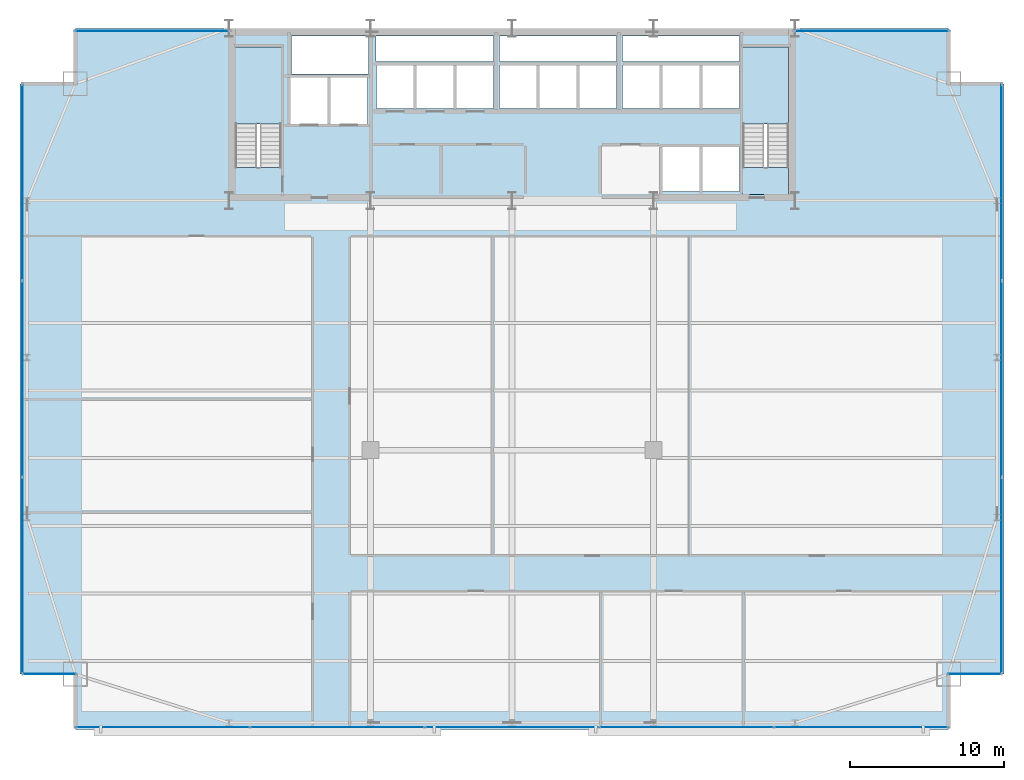
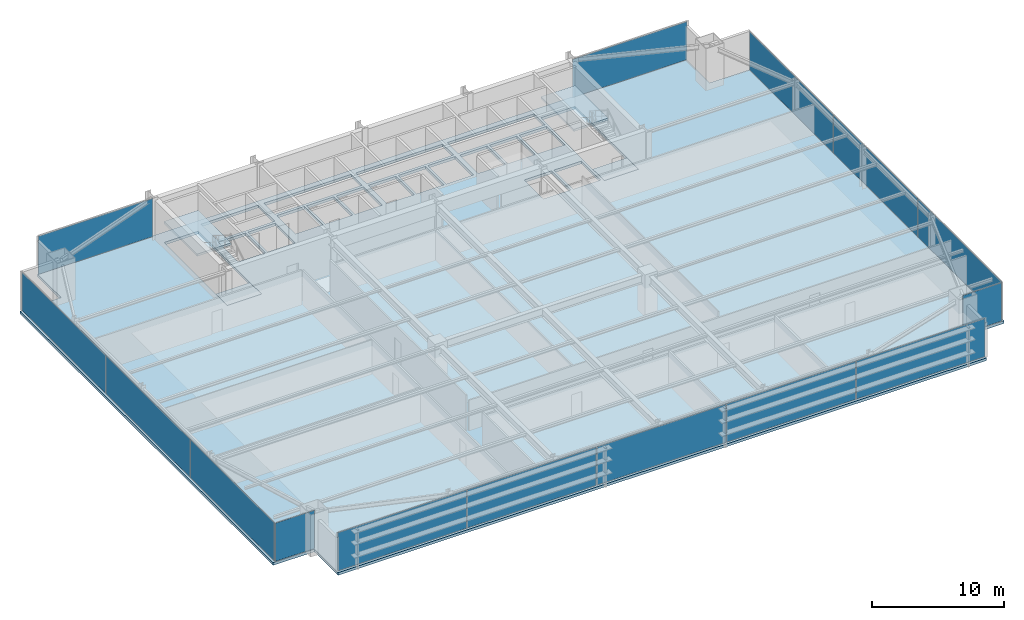
# One storey, part 25 of 32: 15 plates, 5 slabs, 9 elements without a shape of their own.
"""IFC4 building model written with IfcOpenShell, lengths in metres."""

from ifc_helpers import new_model, si_unit, direction, frame, origin, origin_2d, place, context, subcontext, project, spatial, polyline, rectangle, outline, extrude, source, transform, mapped, material, layer, layer_set, type_object, type_shapes, element, aggregate, save


model = new_model("IFC4")

# Units and contexts
model_context = context("Model", 3, precision=1e-05, world=origin(), true_north=direction((0.0, 1.0)))
body_context = subcontext(model_context, "Body", "Model", "MODEL_VIEW")
ifc_project = project(units=[si_unit("LENGTHUNIT", "METRE"), si_unit("AREAUNIT", "SQUARE_METRE"), si_unit("VOLUMEUNIT", "CUBIC_METRE"), si_unit("PLANEANGLEUNIT", "RADIAN"), si_unit("MASSUNIT", "GRAM", prefix="KILO")], contexts=[model_context])

# Site, building, storey
site_placement = place(None, origin())
site = spatial("IfcSite", under=ifc_project, at=site_placement, CompositionType="ELEMENT")
building_placement = place(site_placement, origin())
building = spatial("IfcBuilding", under=site, at=building_placement, Name="Varnel Quay Broadcast Tower", CompositionType="ELEMENT")
storey_placement = place(building_placement, frame((0.0, 0.0, 54.89990234375)))
storey = spatial("IfcBuildingStorey", under=building, at=storey_placement, Name="L12", CompositionType="ELEMENT", Elevation=54.89990234375)

# Slabs
ifc_material_1 = material(Name="Concrete CSA A23.3 C50/60", Category="concrete")
ifc_layer_1 = layer(ifc_material_1, 0.25, Name="Concrete CSA A23.3 C50/60")
ifc_layer_set_1 = layer_set([ifc_layer_1], Name="Concrete CSA A23.3 C50/60")
slab_type_1 = type_object("IfcSlabType", Name="Slab_Floor250", PredefinedType="FLOOR", material=ifc_layer_set_1)
slab_1_placement = place(storey_placement, frame((0.0, 0.0, -0.25)))
element("IfcSlab", 1, at=slab_1_placement, inside=storey, type_object=slab_type_1, Name="L12 Structural Slab", PredefinedType="FLOOR", context=body_context, shape_type="SweptSolid", body=[
    extrude(outline(polyline([(5.60009765625, 1.199951171875), (62.39990234375, 1.199951171875), (62.39990234375, 4.800048828125), (66.0, 4.800048828125), (66.0, 43.199951171875), (62.39990234375, 43.199951171875), (62.39990234375, 46.800048828125), (5.60009765625, 46.800048828125), (5.60009765625, 43.199951171875), (2.0, 43.199951171875), (2.0, 4.800048828125), (5.60009765625, 4.800048828125), (5.60009765625, 1.199951171875)]), holes=[polyline([(16.0, 36.0), (16.0, 45.60009765625), (19.0, 45.60009765625), (19.0, 36.0), (16.0, 36.0)]), polyline([(19.60009765625, 43.60009765625), (22.0, 43.60009765625), (22.0, 40.60009765625), (19.60009765625, 40.60009765625), (19.60009765625, 43.60009765625)]), polyline([(22.199951171875, 43.60009765625), (24.60009765625, 43.60009765625), (24.60009765625, 40.60009765625), (22.199951171875, 40.60009765625), (22.199951171875, 43.60009765625)]), polyline([(25.199951171875, 44.39990234375), (27.60009765625, 44.39990234375), (27.60009765625, 41.60009765625), (25.199951171875, 41.60009765625), (25.199951171875, 44.39990234375)]), polyline([(27.800048828125, 44.39990234375), (30.199951171875, 44.39990234375), (30.199951171875, 41.60009765625), (27.800048828125, 41.60009765625), (27.800048828125, 44.39990234375)]), polyline([(30.39990234375, 44.39990234375), (32.800048828125, 44.39990234375), (32.800048828125, 41.60009765625), (30.39990234375, 41.60009765625), (30.39990234375, 44.39990234375)]), polyline([(33.199951171875, 44.39990234375), (35.60009765625, 44.39990234375), (35.60009765625, 41.60009765625), (33.199951171875, 41.60009765625), (33.199951171875, 44.39990234375)]), polyline([(38.199951171875, 44.39990234375), (38.199951171875, 41.60009765625), (35.800048828125, 41.60009765625), (35.800048828125, 44.39990234375), (38.199951171875, 44.39990234375)]), polyline([(24.679931640625, 46.300048828125), (24.679931640625, 43.85009765625), (19.64990234375, 43.85009765625), (19.64990234375, 46.300048828125), (24.679931640625, 46.300048828125)]), polyline([(25.14990234375, 46.300048828125), (32.800048828125, 46.300048828125), (32.800048828125, 44.64990234375), (25.14990234375, 44.64990234375), (25.14990234375, 46.300048828125)]), polyline([(43.800048828125, 39.10009765625), (46.199951171875, 39.10009765625), (46.199951171875, 36.199951171875), (43.800048828125, 36.199951171875), (43.800048828125, 39.10009765625)]), polyline([(46.39990234375, 39.10009765625), (48.800048828125, 39.10009765625), (48.800048828125, 36.199951171875), (46.39990234375, 36.199951171875), (46.39990234375, 39.10009765625)]), polyline([(49.0, 45.60009765625), (52.0, 45.60009765625), (52.0, 36.0), (49.0, 36.0), (49.0, 45.60009765625)]), polyline([(40.800048828125, 44.39990234375), (40.800048828125, 41.60009765625), (38.39990234375, 41.60009765625), (38.39990234375, 44.39990234375), (40.800048828125, 44.39990234375)]), polyline([(41.199951171875, 44.39990234375), (43.60009765625, 44.39990234375), (43.60009765625, 41.60009765625), (41.199951171875, 41.60009765625), (41.199951171875, 44.39990234375)]), polyline([(43.800048828125, 44.39990234375), (46.199951171875, 44.39990234375), (46.199951171875, 41.60009765625), (43.800048828125, 41.60009765625), (43.800048828125, 44.39990234375)]), polyline([(46.39990234375, 44.39990234375), (48.800048828125, 44.39990234375), (48.800048828125, 41.60009765625), (46.39990234375, 41.60009765625), (46.39990234375, 44.39990234375)]), polyline([(40.800048828125, 46.300048828125), (40.800048828125, 44.64990234375), (33.199951171875, 44.64990234375), (33.199951171875, 46.300048828125), (40.800048828125, 46.300048828125)]), polyline([(48.800048828125, 46.300048828125), (48.800048828125, 44.64990234375), (41.199951171875, 44.64990234375), (41.199951171875, 46.300048828125), (48.800048828125, 46.300048828125)])]), origin(), (0.0, 0.0, 1.0), 0.25),
])
ifc_layer_2 = layer(ifc_material_1, 0.25, Name="Concrete CSA A23.3 C50/60")
ifc_layer_set_2 = layer_set([ifc_layer_2], Name="Concrete CSA A23.3 C50/60")
slab_type_2 = type_object("IfcSlabType", Name="Slab_StairFloorLanding250", PredefinedType="FLOOR", material=ifc_layer_set_2)
slab_2_placement = place(storey_placement, frame((0.0, 0.0, -0.25)))
element("IfcSlab", 2, at=slab_2_placement, inside=storey, type_object=slab_type_2, Name="L12 ST-01 Structural Floor Landing Slab", PredefinedType="FLOOR", context=body_context, shape_type="SweptSolid", body=[
    extrude(outline(polyline([(19.0, 36.0), (19.0, 37.75), (16.0, 37.75), (16.0, 36.0), (19.0, 36.0)])), origin(), (0.0, 0.0, 1.0), 0.25),
])
slab_3_placement = place(storey_placement, frame((0.0, 0.0, -0.25)))
element("IfcSlab", 3, at=slab_3_placement, inside=storey, type_object=slab_type_2, Name="L12 ST-02 Structural Floor Landing Slab", PredefinedType="FLOOR", context=body_context, shape_type="SweptSolid", body=[
    extrude(outline(polyline([(52.0, 36.0), (52.0, 37.75), (49.0, 37.75), (49.0, 36.0), (52.0, 36.0)])), origin(), (0.0, 0.0, 1.0), 0.25),
])

# Stair, slab
ifc_material_2 = material(Name="Precast Structural Concrete C40/50", Category="concrete")
stair_type_1 = type_object("IfcStairType", Name="Stair_ST-01", PredefinedType="HALF_TURN_STAIR", material=ifc_material_2)
stair_1_placement = place(storey_placement, origin())
stair_1 = element("IfcStair", 4, at=stair_1_placement, inside=storey, type_object=stair_type_1, Name="L12 West Core Exit Stair 1", PredefinedType="HALF_TURN_STAIR")
ifc_layer_3 = layer(ifc_material_2, 0.199951171875, Name="Precast Structural Concrete C40/50")
ifc_layer_set_3 = layer_set([ifc_layer_3], Name="Precast Structural Concrete C40/50")
slab_type_3 = type_object("IfcSlabType", Name="Slab_StairLanding200", PredefinedType="LANDING", material=ifc_layer_set_3)
slab_4_placement = place(storey_placement, frame((0.0, 0.0, 1.75)))
slab_4 = element("IfcSlab", 5, at=slab_4_placement, type_object=slab_type_3, Name="ST-01 landing 1", PredefinedType="LANDING", context=body_context, shape_type="SweptSolid", body=[
    extrude(outline(polyline([(19.0, 40.60009765625), (19.0, 45.60009765625), (16.0, 45.60009765625), (16.0, 40.60009765625), (19.0, 40.60009765625)])), origin(), (0.0, 0.0, 1.0), 0.2001953125),
])
aggregate(stair_1, [slab_4])

stair_type_2 = type_object("IfcStairType", Name="Stair_ST-02", PredefinedType="HALF_TURN_STAIR", material=ifc_material_2)
stair_2_placement = place(storey_placement, origin())
stair_2 = element("IfcStair", 6, at=stair_2_placement, inside=storey, type_object=stair_type_2, Name="L12 East Core Exit Stair 2", PredefinedType="HALF_TURN_STAIR")
slab_5_placement = place(storey_placement, frame((0.0, 0.0, 1.75)))
slab_5 = element("IfcSlab", 7, at=slab_5_placement, type_object=slab_type_3, Name="ST-02 landing 1", PredefinedType="LANDING", context=body_context, shape_type="SweptSolid", body=[
    extrude(outline(polyline([(52.0, 40.60009765625), (52.0, 45.60009765625), (49.0, 45.60009765625), (49.0, 40.60009765625), (52.0, 40.60009765625)])), origin(), (0.0, 0.0, 1.0), 0.2001953125),
])
aggregate(stair_2, [slab_5])

# Curtain wall, plates
ifc_material_3 = material(Name="Anodised Bronze Aluminium 6063-T6", Category="aluminium")
ifc_layer_4 = layer(ifc_material_3, 0.18994140625, Name="Anodised Bronze Aluminium 6063-T6")
ifc_layer_set_4 = layer_set([ifc_layer_4], Name="Anodised Bronze Aluminium 6063-T6")
curtain_wall_type_1 = type_object("IfcCurtainWallType", Name="CW_LowerTower", PredefinedType="NOTDEFINED", material=ifc_layer_set_4)
curtain_wall_1_placement = place(storey_placement, origin())
curtain_wall_1 = element("IfcCurtainWall", 8, at=curtain_wall_1_placement, inside=storey, type_object=curtain_wall_type_1, Name="L12 West Unitised Curtain Wall", PredefinedType="NOTDEFINED")
ifc_material_4 = material(Name="Insulated Bronze Spandrel Glass", Category="glass")
ifc_layer_5 = layer(ifc_material_4, 0.031982421875, Name="Insulated Bronze Spandrel Glass")
ifc_layer_set_5 = layer_set([ifc_layer_5], Name="Insulated Bronze Spandrel Glass")
plate_type_1 = type_object("IfcPlateType", Name="PanelSp_CWS-02", PredefinedType="CURTAIN_PANEL", material=ifc_layer_set_5)
shared_shape_1 = source(origin(), body_context, "Body", "SweptSolid", [
    extrude(rectangle(XDim=12.695068359375, YDim=0.031982421875, at=origin_2d()), origin(), (0.0, 0.0, 1.0), 3.530029296875),
])
plate_1_placement = place(storey_placement, frame((2.14990234375, 11.217529296875, 0.06005859375), z_axis=(0.0, 0.0, 1.0), x_axis=(0.0, 1.0, 0.0)))
plate_1 = element("IfcPlate", 9, at=plate_1_placement, type_object=plate_type_1, Name="CWS-02 panel 1.1", PredefinedType="CURTAIN_PANEL", context=body_context, shape_type="MappedRepresentation", body=[
    mapped(shared_shape_1, transform((0.0, 0.0, 0.0), x_axis=(1.0, 0.0, 0.0), y_axis=(0.0, 1.0, 0.0), z_axis=(0.0, 0.0, 1.0), scale=1.0)),
])
plate_2_placement = place(storey_placement, frame((2.14990234375, 36.782470703125, 0.06005859375), z_axis=(0.0, 0.0, 1.0), x_axis=(0.0, 1.0, 0.0)))
plate_2 = element("IfcPlate", 10, at=plate_2_placement, type_object=plate_type_1, Name="CWS-02 panel 3.1", PredefinedType="CURTAIN_PANEL", context=body_context, shape_type="MappedRepresentation", body=[
    mapped(shared_shape_1, transform((0.0, 0.0, 0.0), x_axis=(1.0, 0.0, 0.0), y_axis=(0.0, 1.0, 0.0), z_axis=(0.0, 0.0, 1.0), scale=1.0)),
])

curtain_wall_2_placement = place(storey_placement, origin())
curtain_wall_2 = element("IfcCurtainWall", 11, at=curtain_wall_2_placement, inside=storey, type_object=curtain_wall_type_1, Name="L12 East Unitised Curtain Wall", PredefinedType="NOTDEFINED")
plate_3_placement = place(storey_placement, frame((65.85009765625, 11.217529296875, 0.06005859375), z_axis=(0.0, 0.0, 1.0), x_axis=(0.0, 1.0, 0.0)))
plate_3 = element("IfcPlate", 12, at=plate_3_placement, type_object=plate_type_1, Name="CWS-02 panel 1.1", PredefinedType="CURTAIN_PANEL", context=body_context, shape_type="MappedRepresentation", body=[
    mapped(shared_shape_1, transform((0.0, 0.0, 0.0), x_axis=(1.0, 0.0, 0.0), y_axis=(0.0, 1.0, 0.0), z_axis=(0.0, 0.0, 1.0), scale=1.0)),
])
plate_4_placement = place(storey_placement, frame((65.85009765625, 36.782470703125, 0.06005859375), z_axis=(0.0, 0.0, 1.0), x_axis=(0.0, 1.0, 0.0)))
plate_4 = element("IfcPlate", 13, at=plate_4_placement, type_object=plate_type_1, Name="CWS-02 panel 3.1", PredefinedType="CURTAIN_PANEL", context=body_context, shape_type="MappedRepresentation", body=[
    mapped(shared_shape_1, transform((0.0, 0.0, 0.0), x_axis=(1.0, 0.0, 0.0), y_axis=(0.0, 1.0, 0.0), z_axis=(0.0, 0.0, 1.0), scale=1.0)),
])

# Plate
shared_shape_2 = source(origin(), body_context, "Body", "SweptSolid", [
    extrude(rectangle(XDim=12.72998046875, YDim=0.031982421875, at=origin_2d()), origin(), (0.0, 0.0, 1.0), 3.530029296875),
])
plate_5_placement = place(storey_placement, frame((2.14990234375, 24.0, 0.06005859375), z_axis=(0.0, 0.0, 1.0), x_axis=(0.0, 1.0, 0.0)))
plate_5 = element("IfcPlate", 14, at=plate_5_placement, type_object=plate_type_1, Name="CWS-02 panel 2.1", PredefinedType="CURTAIN_PANEL", context=body_context, shape_type="MappedRepresentation", body=[
    mapped(shared_shape_2, transform((0.0, 0.0, 0.0), x_axis=(1.0, 0.0, 0.0), y_axis=(0.0, 1.0, 0.0), z_axis=(0.0, 0.0, 1.0), scale=1.0)),
])

aggregate(curtain_wall_1, [plate_1, plate_5, plate_2])

plate_6_placement = place(storey_placement, frame((65.85009765625, 24.0, 0.06005859375), z_axis=(0.0, 0.0, 1.0), x_axis=(0.0, 1.0, 0.0)))
plate_6 = element("IfcPlate", 15, at=plate_6_placement, type_object=plate_type_1, Name="CWS-02 panel 2.1", PredefinedType="CURTAIN_PANEL", context=body_context, shape_type="MappedRepresentation", body=[
    mapped(shared_shape_2, transform((0.0, 0.0, 0.0), x_axis=(1.0, 0.0, 0.0), y_axis=(0.0, 1.0, 0.0), z_axis=(0.0, 0.0, 1.0), scale=1.0)),
])

aggregate(curtain_wall_2, [plate_3, plate_6, plate_4])

# Curtain wall, plate
ifc_layer_6 = layer(ifc_material_3, 0.18994140625, Name="Anodised Bronze Aluminium 6063-T6")
ifc_layer_set_6 = layer_set([ifc_layer_6], Name="Anodised Bronze Aluminium 6063-T6")
curtain_wall_type_2 = type_object("IfcCurtainWallType", Name="CW_NotchCorner", PredefinedType="NOTDEFINED", material=ifc_layer_set_6)
curtain_wall_3_placement = place(storey_placement, origin())
curtain_wall_3 = element("IfcCurtainWall", 16, at=curtain_wall_3_placement, inside=storey, type_object=curtain_wall_type_2, Name="L12 SW Notch Curtain Wall", PredefinedType="NOTDEFINED")
ifc_material_5 = material(Name="Triple-Glazed Bronze Low-E Architectural Glass", Category="glass")
ifc_layer_7 = layer(ifc_material_5, 0.028076171875, Name="Triple-Glazed Bronze Low-E Architectural Glass")
ifc_layer_set_7 = layer_set([ifc_layer_7], Name="Triple-Glazed Bronze Low-E Architectural Glass")
plate_type_2 = type_object("IfcPlateType", Name="Panel_CWS-04", PredefinedType="CURTAIN_PANEL", material=ifc_layer_set_7)
shared_shape_3 = source(origin(), body_context, "Body", "SweptSolid", [
    extrude(rectangle(XDim=3.409912109375, YDim=0.028076171875, at=origin_2d()), origin(), (0.0, 0.0, 1.0), 3.5400390625),
])
type_shapes(plate_type_2, [shared_shape_3])
plate_7_placement = place(storey_placement, frame((3.9150390625, 4.800048828125, 0.05517578125), z_axis=(0.0, 0.0, 1.0), x_axis=(1.0, 0.0, 0.0)))
plate_7 = element("IfcPlate", 17, at=plate_7_placement, type_object=plate_type_2, Name="CWS-04 panel 1.1", PredefinedType="CURTAIN_PANEL", context=body_context, shape_type="MappedRepresentation", body=[
    mapped(shared_shape_3, transform((0.0, 0.0, 0.0), x_axis=(1.0, 0.0, 0.0), y_axis=(0.0, 1.0, 0.0), z_axis=(0.0, 0.0, 1.0), scale=1.0)),
])
aggregate(curtain_wall_3, [plate_7])

curtain_wall_4_placement = place(storey_placement, origin())
curtain_wall_4 = element("IfcCurtainWall", 18, at=curtain_wall_4_placement, inside=storey, type_object=curtain_wall_type_2, Name="L12 SE Notch Curtain Wall", PredefinedType="NOTDEFINED")
plate_8_placement = place(storey_placement, frame((64.0849609375, 4.800048828125, 0.05517578125), z_axis=(0.0, 0.0, 1.0), x_axis=(1.0, 0.0, 0.0)))
plate_8 = element("IfcPlate", 19, at=plate_8_placement, type_object=plate_type_2, Name="CWS-04 panel 1.1", PredefinedType="CURTAIN_PANEL", context=body_context, shape_type="MappedRepresentation", body=[
    mapped(shared_shape_3, transform((0.0, 0.0, 0.0), x_axis=(1.0, 0.0, 0.0), y_axis=(0.0, 1.0, 0.0), z_axis=(0.0, 0.0, 1.0), scale=1.0)),
])
aggregate(curtain_wall_4, [plate_8])

curtain_wall_5_placement = place(storey_placement, origin())
curtain_wall_5 = element("IfcCurtainWall", 20, at=curtain_wall_5_placement, inside=storey, type_object=curtain_wall_type_1, Name="L12 NW Wing Curtain Wall", PredefinedType="NOTDEFINED")
ifc_layer_8 = layer(ifc_material_5, 0.031982421875, Name="Triple-Glazed Bronze Low-E Architectural Glass")
ifc_layer_set_8 = layer_set([ifc_layer_8], Name="Triple-Glazed Bronze Low-E Architectural Glass")
plate_type_3 = type_object("IfcPlateType", Name="Panel_CWS-02", PredefinedType="CURTAIN_PANEL", material=ifc_layer_set_8)
shared_shape_4 = source(origin(), body_context, "Body", "SweptSolid", [
    extrude(rectangle(XDim=10.0400390625, YDim=0.031982421875, at=origin_2d()), origin(), (0.0, 0.0, 1.0), 3.530029296875),
])
plate_9_placement = place(storey_placement, frame((10.610107421875, 46.64990234375, 0.06005859375), z_axis=(0.0, 0.0, 1.0), x_axis=(1.0, 0.0, 0.0)))
plate_9 = element("IfcPlate", 21, at=plate_9_placement, type_object=plate_type_3, Name="CWS-02 panel 1.1", PredefinedType="CURTAIN_PANEL", context=body_context, shape_type="MappedRepresentation", body=[
    mapped(shared_shape_4, transform((0.0, 0.0, 0.0), x_axis=(1.0, 0.0, 0.0), y_axis=(0.0, 1.0, 0.0), z_axis=(0.0, 0.0, 1.0), scale=1.0)),
])
aggregate(curtain_wall_5, [plate_9])

curtain_wall_6_placement = place(storey_placement, origin())
curtain_wall_6 = element("IfcCurtainWall", 22, at=curtain_wall_6_placement, inside=storey, type_object=curtain_wall_type_1, Name="L12 NE Wing Curtain Wall", PredefinedType="NOTDEFINED")
plate_10_placement = place(storey_placement, frame((57.389892578125, 46.64990234375, 0.06005859375), z_axis=(0.0, 0.0, 1.0), x_axis=(1.0, 0.0, 0.0)))
plate_10 = element("IfcPlate", 23, at=plate_10_placement, type_object=plate_type_3, Name="CWS-02 panel 1.1", PredefinedType="CURTAIN_PANEL", context=body_context, shape_type="MappedRepresentation", body=[
    mapped(shared_shape_4, transform((0.0, 0.0, 0.0), x_axis=(1.0, 0.0, 0.0), y_axis=(0.0, 1.0, 0.0), z_axis=(0.0, 0.0, 1.0), scale=1.0)),
])
aggregate(curtain_wall_6, [plate_10])

# Curtain wall, plates
curtain_wall_7_placement = place(storey_placement, origin())
curtain_wall_7 = element("IfcCurtainWall", 24, at=curtain_wall_7_placement, inside=storey, type_object=curtain_wall_type_1, Name="L12 South Unitised Curtain Wall 1", PredefinedType="NOTDEFINED")
shared_shape_5 = source(origin(), body_context, "Body", "SweptSolid", [
    extrude(rectangle(XDim=11.2548828125, YDim=0.031982421875, at=origin_2d()), origin(), (0.0, 0.0, 1.0), 3.530029296875),
])
type_shapes(plate_type_3, [shared_shape_4, shared_shape_5])
plate_11_placement = place(storey_placement, frame((11.297607421875, 1.35009765625, 0.06005859375), z_axis=(0.0, 0.0, 1.0), x_axis=(1.0, 0.0, 0.0)))
plate_11 = element("IfcPlate", 25, at=plate_11_placement, type_object=plate_type_3, Name="CWS-02 panel 1.1", PredefinedType="CURTAIN_PANEL", context=body_context, shape_type="MappedRepresentation", body=[
    mapped(shared_shape_5, transform((0.0, 0.0, 0.0), x_axis=(1.0, 0.0, 0.0), y_axis=(0.0, 1.0, 0.0), z_axis=(0.0, 0.0, 1.0), scale=1.0)),
])
plate_12_placement = place(storey_placement, frame((56.702392578125, 1.35009765625, 0.06005859375), z_axis=(0.0, 0.0, 1.0), x_axis=(1.0, 0.0, 0.0)))
plate_12 = element("IfcPlate", 26, at=plate_12_placement, type_object=plate_type_3, Name="CWS-02 panel 5.1", PredefinedType="CURTAIN_PANEL", context=body_context, shape_type="MappedRepresentation", body=[
    mapped(shared_shape_5, transform((0.0, 0.0, 0.0), x_axis=(1.0, 0.0, 0.0), y_axis=(0.0, 1.0, 0.0), z_axis=(0.0, 0.0, 1.0), scale=1.0)),
])
shared_shape_6 = source(origin(), body_context, "Body", "SweptSolid", [
    extrude(rectangle(XDim=11.2900390625, YDim=0.031982421875, at=origin_2d()), origin(), (0.0, 0.0, 1.0), 3.530029296875),
])
type_shapes(plate_type_1, [shared_shape_1, shared_shape_2, shared_shape_6])
plate_13_placement = place(storey_placement, frame((22.639892578125, 1.35009765625, 0.06005859375), z_axis=(0.0, 0.0, 1.0), x_axis=(1.0, 0.0, 0.0)))
plate_13 = element("IfcPlate", 27, at=plate_13_placement, type_object=plate_type_1, Name="CWS-02 panel 2.1", PredefinedType="CURTAIN_PANEL", context=body_context, shape_type="MappedRepresentation", body=[
    mapped(shared_shape_6, transform((0.0, 0.0, 0.0), x_axis=(1.0, 0.0, 0.0), y_axis=(0.0, 1.0, 0.0), z_axis=(0.0, 0.0, 1.0), scale=1.0)),
])
plate_14_placement = place(storey_placement, frame((34.0, 1.35009765625, 0.06005859375), z_axis=(0.0, 0.0, 1.0), x_axis=(1.0, 0.0, 0.0)))
plate_14 = element("IfcPlate", 28, at=plate_14_placement, type_object=plate_type_1, Name="CWS-02 panel 3.1", PredefinedType="CURTAIN_PANEL", context=body_context, shape_type="MappedRepresentation", body=[
    mapped(shared_shape_6, transform((0.0, 0.0, 0.0), x_axis=(1.0, 0.0, 0.0), y_axis=(0.0, 1.0, 0.0), z_axis=(0.0, 0.0, 1.0), scale=1.0)),
])
plate_15_placement = place(storey_placement, frame((45.360107421875, 1.35009765625, 0.06005859375), z_axis=(0.0, 0.0, 1.0), x_axis=(1.0, 0.0, 0.0)))
plate_15 = element("IfcPlate", 29, at=plate_15_placement, type_object=plate_type_1, Name="CWS-02 panel 4.1", PredefinedType="CURTAIN_PANEL", context=body_context, shape_type="MappedRepresentation", body=[
    mapped(shared_shape_6, transform((0.0, 0.0, 0.0), x_axis=(1.0, 0.0, 0.0), y_axis=(0.0, 1.0, 0.0), z_axis=(0.0, 0.0, 1.0), scale=1.0)),
])
aggregate(curtain_wall_7, [plate_11, plate_13, plate_14, plate_15, plate_12])

save(model, "model.ifc")
